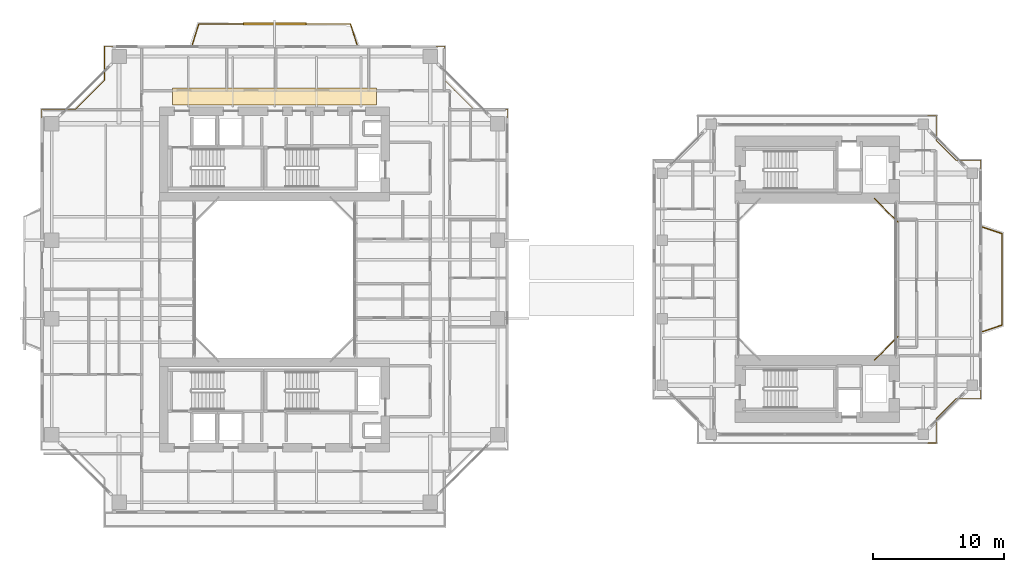
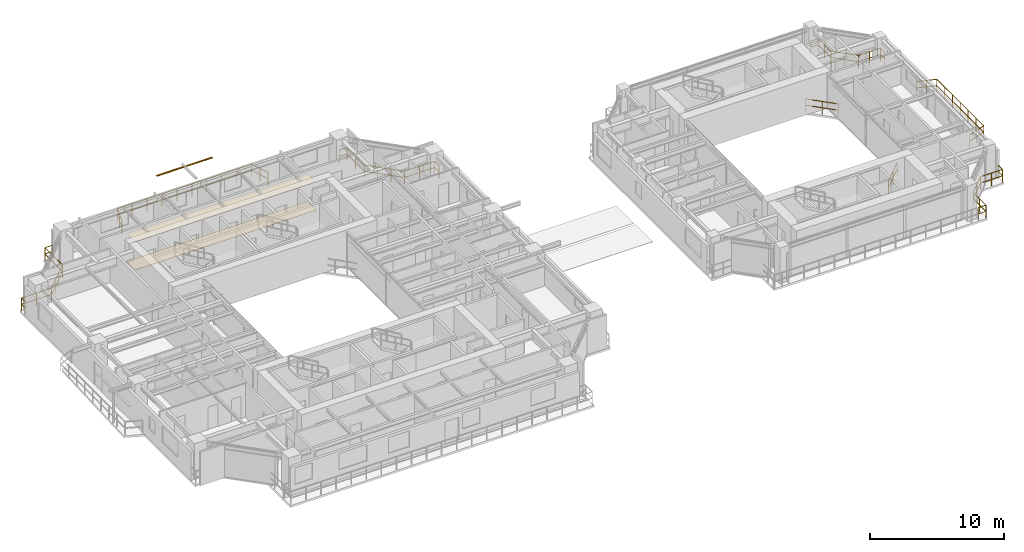
# One storey, part 23 of 23: 8 railings, 2 coverings, 1 shading device.
"""IFC4 building model written with IfcOpenShell, lengths in metres."""

from ifc_helpers import new_model, si_unit, direction, frame, origin, origin_2d, place, context, subcontext, project, spatial, polyline, rectangle, outline, extrude, source, transform, mapped, material, layer, layer_set, material_profile, profile_set, type_object, element, save


model = new_model("IFC4")

# Units and contexts
model_context = context("Model", 3, precision=1e-05, world=origin(), true_north=direction((0.0, 1.0)))
body_context = subcontext(model_context, "Body", "Model", "MODEL_VIEW")
ifc_project = project(units=[si_unit("LENGTHUNIT", "METRE"), si_unit("AREAUNIT", "SQUARE_METRE"), si_unit("VOLUMEUNIT", "CUBIC_METRE"), si_unit("PLANEANGLEUNIT", "RADIAN"), si_unit("MASSUNIT", "GRAM", prefix="KILO"), si_unit("THERMODYNAMICTEMPERATUREUNIT", "KELVIN"), si_unit("POWERUNIT", "WATT")], contexts=[model_context])

# Site, building, storey
site_placement = place(None, origin())
site = spatial("IfcSite", under=ifc_project, at=site_placement, CompositionType="ELEMENT")
building_placement = place(site_placement, origin())
building = spatial("IfcBuilding", under=site, at=building_placement, Name="Qiaomeng Ring Towers", CompositionType="ELEMENT")
storey_placement = place(building_placement, frame((0.0, 0.0, 97.0)))
storey = spatial("IfcBuildingStorey", under=building, at=storey_placement, Name="L27", CompositionType="ELEMENT", Elevation=97.0)

# Coverings
ifc_material_1 = material(Name="Moisture-resistant gypsum ceiling board", Category="gypsum")
ifc_layer_1 = layer(ifc_material_1, 0.030029296875, Name="Moisture-resistant gypsum ceiling board")
ifc_layer_set_1 = layer_set([ifc_layer_1], Name="Moisture-resistant gypsum ceiling board")
covering_type_1 = type_object("IfcCoveringType", Name="ARC-COV-CEIL2", PredefinedType="CEILING", material=ifc_layer_set_1)
covering_1_placement = place(storey_placement, frame((0.0, 0.0, 2.550048828125)))
element("IfcCovering", 1, at=covering_1_placement, inside=storey, type_object=covering_type_1, Name="L27 Corridor Acoustic Ceiling", PredefinedType="CEILING", context=body_context, shape_type="SweptSolid", body=[
    extrude(outline(polyline([(11.199951171875, 36.35009765625), (11.199951171875, 37.64990234375), (26.800048828125, 37.64990234375), (26.800048828125, 36.35009765625), (11.199951171875, 36.35009765625)])), origin(), (0.0, 0.0, 1.0), 0.02490234375),
])
ifc_material_2 = material(Name="Vitrified porcelain floor tile", Category="ceramic")
ifc_layer_2 = layer(ifc_material_2, 0.02001953125, Name="Vitrified porcelain floor tile")
ifc_layer_set_2 = layer_set([ifc_layer_2], Name="Vitrified porcelain floor tile")
covering_type_2 = type_object("IfcCoveringType", Name="ARC-COV-FLR1", PredefinedType="FLOORING", material=ifc_layer_set_2)
covering_2_placement = place(storey_placement, origin())
element("IfcCovering", 2, at=covering_2_placement, inside=storey, type_object=covering_type_2, Name="L27 Corridor Stone Flooring", PredefinedType="FLOORING", context=body_context, shape_type="SweptSolid", body=[
    extrude(outline(polyline([(11.199951171875, 36.35009765625), (11.199951171875, 37.64990234375), (26.800048828125, 37.64990234375), (26.800048828125, 36.35009765625), (11.199951171875, 36.35009765625)])), origin(), (0.0, 0.0, 1.0), 0.02001953125),
])

# Railings
ifc_material_3 = material(Name="Low-E pale-green laminated safety glass", Category="glass")
railing_type = type_object("IfcRailingType", Name="ARC-RL-BAL1", PredefinedType="BALUSTRADE", material=ifc_material_3)
railing_1_placement = place(storey_placement, frame((36.820068359375, 35.3701171875, 0.0)))
element("IfcRailing", 3, at=railing_1_placement, inside=storey, type_object=railing_type, Name="L27 Balustrade ARC-BAL-NOTCH1-L27-NE", PredefinedType="BALUSTRADE", context=body_context, shape_type="SweptSolid", body=[
    extrude(rectangle(XDim=0.048095703125, YDim=0.048095703125, at=origin_2d()), frame((0.0, 0.0, 1.17578125), z_axis=(0.0, 1.0, 0.0), x_axis=(-1.0, 0.0, 0.0)), (0.0, 0.0, 1.0), 0.64990234375),
    extrude(rectangle(XDim=0.048095703125, YDim=0.048095703125, at=origin_2d()), frame((0.0, 0.0, 0.60009765625), z_axis=(0.0, 1.0, 0.0), x_axis=(-1.0, 0.0, 0.0)), (0.0, 0.0, 1.0), 0.64990234375),
    extrude(rectangle(XDim=0.048095703125, YDim=0.048095703125, at=origin_2d()), frame((0.0, 0.64990234375, 1.17578125), z_axis=(-1.0, 0.0, 0.0), x_axis=(0.0, -1.0, 0.0)), (0.0, 0.0, 1.0), 2.60009765625),
    extrude(rectangle(XDim=0.048095703125, YDim=0.048095703125, at=origin_2d()), frame((0.0, 0.64990234375, 0.60009765625), z_axis=(-1.0, 0.0, 0.0), x_axis=(0.0, -1.0, 0.0)), (0.0, 0.0, 1.0), 2.60009765625),
    extrude(rectangle(XDim=0.048095703125, YDim=0.048095703125, at=origin_2d()), frame((-2.60009765625, 0.64990234375, 1.17578125), z_axis=(-0.707106781187, 0.707106781187, 0.0), x_axis=(-0.707106781187, -0.707106781187, 0.0)), (0.0, 0.0, 1.0), 3.111083984375),
    extrude(rectangle(XDim=0.048095703125, YDim=0.048095703125, at=origin_2d()), frame((-2.60009765625, 0.64990234375, 0.60009765625), z_axis=(-0.707106781187, 0.707106781187, 0.0), x_axis=(-0.707106781187, -0.707106781187, 0.0)), (0.0, 0.0, 1.0), 3.111083984375),
    extrude(rectangle(XDim=0.048095703125, YDim=0.048095703125, at=origin_2d()), frame((-4.800048828125, 2.849853515625, 1.17578125), z_axis=(0.0, 1.0, 0.0), x_axis=(-1.0, 0.0, 0.0)), (0.0, 0.0, 1.0), 2.60009765625),
    extrude(rectangle(XDim=0.048095703125, YDim=0.048095703125, at=origin_2d()), frame((-4.800048828125, 2.849853515625, 0.60009765625), z_axis=(0.0, 1.0, 0.0), x_axis=(-1.0, 0.0, 0.0)), (0.0, 0.0, 1.0), 2.60009765625),
    extrude(rectangle(XDim=0.048095703125, YDim=0.048095703125, at=origin_2d()), frame((-4.800048828125, 5.449951171875, 1.17578125), z_axis=(-1.0, 0.0, 0.0), x_axis=(0.0, -1.0, 0.0)), (0.0, 0.0, 1.0), 0.64990234375),
    extrude(rectangle(XDim=0.048095703125, YDim=0.048095703125, at=origin_2d()), frame((-4.800048828125, 5.449951171875, 0.60009765625), z_axis=(-1.0, 0.0, 0.0), x_axis=(0.0, -1.0, 0.0)), (0.0, 0.0, 1.0), 0.64990234375),
    extrude(rectangle(XDim=0.0419921875, YDim=0.0419921875, at=origin_2d()), origin(), (0.0, 0.0, 1.0), 1.15185546875),
    extrude(rectangle(XDim=0.0419921875, YDim=0.0419921875, at=origin_2d()), frame((0.0, 0.64990234375, 0.0)), (0.0, 0.0, 1.0), 1.15185546875),
    extrude(rectangle(XDim=0.0419921875, YDim=0.0419921875, at=origin_2d()), frame((-1.300048828125, 0.64990234375, 0.0)), (0.0, 0.0, 1.0), 1.15185546875),
    extrude(rectangle(XDim=0.0419921875, YDim=0.0419921875, at=origin_2d()), frame((-2.60009765625, 0.64990234375, 0.0)), (0.0, 0.0, 1.0), 1.15185546875),
    extrude(rectangle(XDim=0.0419921875, YDim=0.0419921875, at=origin_2d()), frame((-3.33349609375, 1.38330078125, 0.0)), (0.0, 0.0, 1.0), 1.15185546875),
    extrude(rectangle(XDim=0.0419921875, YDim=0.0419921875, at=origin_2d()), frame((-4.066650390625, 2.116455078125, 0.0)), (0.0, 0.0, 1.0), 1.15185546875),
    extrude(rectangle(XDim=0.0419921875, YDim=0.0419921875, at=origin_2d()), frame((-4.800048828125, 2.849853515625, 0.0)), (0.0, 0.0, 1.0), 1.15185546875),
    extrude(rectangle(XDim=0.0419921875, YDim=0.0419921875, at=origin_2d()), frame((-4.800048828125, 4.14990234375, 0.0)), (0.0, 0.0, 1.0), 1.15185546875),
    extrude(rectangle(XDim=0.0419921875, YDim=0.0419921875, at=origin_2d()), frame((-4.800048828125, 5.449951171875, 0.0)), (0.0, 0.0, 1.0), 1.15185546875),
    extrude(rectangle(XDim=0.0419921875, YDim=0.0419921875, at=origin_2d()), frame((-5.449951171875, 5.449951171875, 0.0)), (0.0, 0.0, 1.0), 1.15185546875),
])
railing_2_placement = place(storey_placement, frame((6.6298828125, 40.820068359375, 0.0)))
element("IfcRailing", 4, at=railing_2_placement, inside=storey, type_object=railing_type, Name="L27 Balustrade ARC-BAL-NOTCH1-L27-NW", PredefinedType="BALUSTRADE", context=body_context, shape_type="SweptSolid", body=[
    extrude(rectangle(XDim=0.048095703125, YDim=0.048095703125, at=origin_2d()), frame((0.0, 0.0, 1.17578125), z_axis=(-1.0, 0.0, 0.0), x_axis=(0.0, -1.0, 0.0)), (0.0, 0.0, 1.0), 0.64990234375),
    extrude(rectangle(XDim=0.048095703125, YDim=0.048095703125, at=origin_2d()), frame((0.0, 0.0, 0.60009765625), z_axis=(-1.0, 0.0, 0.0), x_axis=(0.0, -1.0, 0.0)), (0.0, 0.0, 1.0), 0.64990234375),
    extrude(rectangle(XDim=0.048095703125, YDim=0.048095703125, at=origin_2d()), frame((-0.64990234375, 0.0, 1.17578125), z_axis=(0.0, -1.0, 0.0), x_axis=(1.0, 0.0, 0.0)), (0.0, 0.0, 1.0), 2.60009765625),
    extrude(rectangle(XDim=0.048095703125, YDim=0.048095703125, at=origin_2d()), frame((-0.64990234375, 0.0, 0.60009765625), z_axis=(0.0, -1.0, 0.0), x_axis=(1.0, 0.0, 0.0)), (0.0, 0.0, 1.0), 2.60009765625),
    extrude(rectangle(XDim=0.048095703125, YDim=0.048095703125, at=origin_2d()), frame((-0.64990234375, -2.60009765625, 1.17578125), z_axis=(-0.707106781187, -0.707106781187, 0.0), x_axis=(0.707106781187, -0.707106781187, 0.0)), (0.0, 0.0, 1.0), 3.111083984375),
    extrude(rectangle(XDim=0.048095703125, YDim=0.048095703125, at=origin_2d()), frame((-0.64990234375, -2.60009765625, 0.60009765625), z_axis=(-0.707106781187, -0.707106781187, 0.0), x_axis=(0.707106781187, -0.707106781187, 0.0)), (0.0, 0.0, 1.0), 3.111083984375),
    extrude(rectangle(XDim=0.048095703125, YDim=0.048095703125, at=origin_2d()), frame((-2.849853515625, -4.800048828125, 1.17578125), z_axis=(-1.0, 0.0, 0.0), x_axis=(0.0, -1.0, 0.0)), (0.0, 0.0, 1.0), 2.60009765625),
    extrude(rectangle(XDim=0.048095703125, YDim=0.048095703125, at=origin_2d()), frame((-2.849853515625, -4.800048828125, 0.60009765625), z_axis=(-1.0, 0.0, 0.0), x_axis=(0.0, -1.0, 0.0)), (0.0, 0.0, 1.0), 2.60009765625),
    extrude(rectangle(XDim=0.048095703125, YDim=0.048095703125, at=origin_2d()), frame((-5.449951171875, -4.800048828125, 1.17578125), z_axis=(0.0, -1.0, 0.0), x_axis=(1.0, 0.0, 0.0)), (0.0, 0.0, 1.0), 0.64990234375),
    extrude(rectangle(XDim=0.048095703125, YDim=0.048095703125, at=origin_2d()), frame((-5.449951171875, -4.800048828125, 0.60009765625), z_axis=(0.0, -1.0, 0.0), x_axis=(1.0, 0.0, 0.0)), (0.0, 0.0, 1.0), 0.64990234375),
    extrude(rectangle(XDim=0.0419921875, YDim=0.0419921875, at=origin_2d()), origin(), (0.0, 0.0, 1.0), 1.15185546875),
    extrude(rectangle(XDim=0.0419921875, YDim=0.0419921875, at=origin_2d()), frame((-0.64990234375, 0.0, 0.0)), (0.0, 0.0, 1.0), 1.15185546875),
    extrude(rectangle(XDim=0.0419921875, YDim=0.0419921875, at=origin_2d()), frame((-0.64990234375, -1.300048828125, 0.0)), (0.0, 0.0, 1.0), 1.15185546875),
    extrude(rectangle(XDim=0.0419921875, YDim=0.0419921875, at=origin_2d()), frame((-0.64990234375, -2.60009765625, 0.0)), (0.0, 0.0, 1.0), 1.15185546875),
    extrude(rectangle(XDim=0.0419921875, YDim=0.0419921875, at=origin_2d()), frame((-1.38330078125, -3.33349609375, 0.0)), (0.0, 0.0, 1.0), 1.15185546875),
    extrude(rectangle(XDim=0.0419921875, YDim=0.0419921875, at=origin_2d()), frame((-2.116455078125, -4.066650390625, 0.0)), (0.0, 0.0, 1.0), 1.15185546875),
    extrude(rectangle(XDim=0.0419921875, YDim=0.0419921875, at=origin_2d()), frame((-2.849853515625, -4.800048828125, 0.0)), (0.0, 0.0, 1.0), 1.15185546875),
    extrude(rectangle(XDim=0.0419921875, YDim=0.0419921875, at=origin_2d()), frame((-4.14990234375, -4.800048828125, 0.0)), (0.0, 0.0, 1.0), 1.15185546875),
    extrude(rectangle(XDim=0.0419921875, YDim=0.0419921875, at=origin_2d()), frame((-5.449951171875, -4.800048828125, 0.0)), (0.0, 0.0, 1.0), 1.15185546875),
    extrude(rectangle(XDim=0.0419921875, YDim=0.0419921875, at=origin_2d()), frame((-5.449951171875, -5.449951171875, 0.0)), (0.0, 0.0, 1.0), 1.15185546875),
])
railing_3_placement = place(storey_placement, frame((12.699951171875, 40.949951171875, 0.0)))
element("IfcRailing", 5, at=railing_3_placement, inside=storey, type_object=railing_type, Name="L27 Balustrade ARC-BAL-L27-T1-N", PredefinedType="BALUSTRADE", context=body_context, shape_type="SweptSolid", body=[
    extrude(rectangle(XDim=0.048095703125, YDim=0.048095703125, at=origin_2d()), frame((0.0, 0.0, 1.17578125), z_axis=(0.299967512283, 0.953949417723, 0.0), x_axis=(-0.953949417723, 0.299967512283, 0.0)), (0.0, 0.0, 1.0), 1.666748046875),
    extrude(rectangle(XDim=0.048095703125, YDim=0.048095703125, at=origin_2d()), frame((0.0, 0.0, 0.60009765625), z_axis=(0.299967512283, 0.953949417723, 0.0), x_axis=(-0.953949417723, 0.299967512283, 0.0)), (0.0, 0.0, 1.0), 1.666748046875),
    extrude(rectangle(XDim=0.048095703125, YDim=0.048095703125, at=origin_2d()), frame((0.5, 1.590087890625, 1.17578125), z_axis=(1.0, 0.0, 0.0), x_axis=(0.0, 1.0, 0.0)), (0.0, 0.0, 1.0), 11.60009765625),
    extrude(rectangle(XDim=0.048095703125, YDim=0.048095703125, at=origin_2d()), frame((0.5, 1.590087890625, 0.60009765625), z_axis=(1.0, 0.0, 0.0), x_axis=(0.0, 1.0, 0.0)), (0.0, 0.0, 1.0), 11.60009765625),
    extrude(rectangle(XDim=0.048095703125, YDim=0.048095703125, at=origin_2d()), frame((12.10009765625, 1.590087890625, 1.17578125), z_axis=(0.299967512283, -0.953949417723, 0.0), x_axis=(0.953949417723, 0.299967512283, 0.0)), (0.0, 0.0, 1.0), 1.666748046875),
    extrude(rectangle(XDim=0.048095703125, YDim=0.048095703125, at=origin_2d()), frame((12.10009765625, 1.590087890625, 0.60009765625), z_axis=(0.299967512283, -0.953949417723, 0.0), x_axis=(0.953949417723, 0.299967512283, 0.0)), (0.0, 0.0, 1.0), 1.666748046875),
    extrude(rectangle(XDim=0.0419921875, YDim=0.0419921875, at=origin_2d()), origin(), (0.0, 0.0, 1.0), 1.15185546875),
    extrude(rectangle(XDim=0.0419921875, YDim=0.0419921875, at=origin_2d()), frame((0.25, 0.794921875, 0.0)), (0.0, 0.0, 1.0), 1.15185546875),
    extrude(rectangle(XDim=0.0419921875, YDim=0.0419921875, at=origin_2d()), frame((0.5, 1.590087890625, 0.0)), (0.0, 0.0, 1.0), 1.15185546875),
    extrude(rectangle(XDim=0.0419921875, YDim=0.0419921875, at=origin_2d()), frame((1.788818359375, 1.590087890625, 0.0)), (0.0, 0.0, 1.0), 1.15185546875),
    extrude(rectangle(XDim=0.0419921875, YDim=0.0419921875, at=origin_2d()), frame((3.077880859375, 1.590087890625, 0.0)), (0.0, 0.0, 1.0), 1.15185546875),
    extrude(rectangle(XDim=0.0419921875, YDim=0.0419921875, at=origin_2d()), frame((4.36669921875, 1.590087890625, 0.0)), (0.0, 0.0, 1.0), 1.15185546875),
    extrude(rectangle(XDim=0.0419921875, YDim=0.0419921875, at=origin_2d()), frame((5.655517578125, 1.590087890625, 0.0)), (0.0, 0.0, 1.0), 1.15185546875),
    extrude(rectangle(XDim=0.0419921875, YDim=0.0419921875, at=origin_2d()), frame((6.944580078125, 1.590087890625, 0.0)), (0.0, 0.0, 1.0), 1.15185546875),
    extrude(rectangle(XDim=0.0419921875, YDim=0.0419921875, at=origin_2d()), frame((8.2333984375, 1.590087890625, 0.0)), (0.0, 0.0, 1.0), 1.15185546875),
    extrude(rectangle(XDim=0.0419921875, YDim=0.0419921875, at=origin_2d()), frame((9.522216796875, 1.590087890625, 0.0)), (0.0, 0.0, 1.0), 1.15185546875),
    extrude(rectangle(XDim=0.0419921875, YDim=0.0419921875, at=origin_2d()), frame((10.811279296875, 1.590087890625, 0.0)), (0.0, 0.0, 1.0), 1.15185546875),
    extrude(rectangle(XDim=0.0419921875, YDim=0.0419921875, at=origin_2d()), frame((12.10009765625, 1.590087890625, 0.0)), (0.0, 0.0, 1.0), 1.15185546875),
    extrude(rectangle(XDim=0.0419921875, YDim=0.0419921875, at=origin_2d()), frame((12.35009765625, 0.794921875, 0.0)), (0.0, 0.0, 1.0), 1.15185546875),
    extrude(rectangle(XDim=0.0419921875, YDim=0.0419921875, at=origin_2d()), frame((12.60009765625, 0.0, 0.0)), (0.0, 0.0, 1.0), 1.15185546875),
])
railing_4_placement = place(storey_placement, frame((64.8798828125, 16.820068359375, 0.0)))
element("IfcRailing", 6, at=railing_4_placement, inside=storey, type_object=railing_type, Name="L27 Balustrade ARC-BAL-WELL2-L27-1", PredefinedType="BALUSTRADE", context=body_context, shape_type="SweptSolid", body=[
    extrude(rectangle(XDim=0.048095703125, YDim=0.048095703125, at=origin_2d()), frame((0.0, 0.0, 1.17578125), z_axis=(0.707106781187, 0.707106781187, 0.0), x_axis=(-0.707106781187, 0.707106781187, 0.0)), (0.0, 0.0, 1.0), 2.545654296875),
    extrude(rectangle(XDim=0.048095703125, YDim=0.048095703125, at=origin_2d()), frame((0.0, 0.0, 0.60009765625), z_axis=(0.707106781187, 0.707106781187, 0.0), x_axis=(-0.707106781187, 0.707106781187, 0.0)), (0.0, 0.0, 1.0), 2.545654296875),
    extrude(rectangle(XDim=0.0419921875, YDim=0.0419921875, at=origin_2d()), origin(), (0.0, 0.0, 1.0), 1.15185546875),
    extrude(rectangle(XDim=0.0419921875, YDim=0.0419921875, at=origin_2d()), frame((0.89990234375, 0.89990234375, 0.0)), (0.0, 0.0, 1.0), 1.15185546875),
    extrude(rectangle(XDim=0.0419921875, YDim=0.0419921875, at=origin_2d()), frame((1.800048828125, 1.800048828125, 0.0)), (0.0, 0.0, 1.0), 1.15185546875),
])
railing_5_placement = place(storey_placement, frame((66.679931640625, 27.3798828125, 0.0)))
element("IfcRailing", 7, at=railing_5_placement, inside=storey, type_object=railing_type, Name="L27 Balustrade ARC-BAL-WELL2-L27-2", PredefinedType="BALUSTRADE", context=body_context, shape_type="SweptSolid", body=[
    extrude(rectangle(XDim=0.048095703125, YDim=0.048095703125, at=origin_2d()), frame((0.0, 0.0, 1.17578125), z_axis=(-0.707106781187, 0.707106781187, 0.0), x_axis=(-0.707106781187, -0.707106781187, 0.0)), (0.0, 0.0, 1.0), 2.545654296875),
    extrude(rectangle(XDim=0.048095703125, YDim=0.048095703125, at=origin_2d()), frame((0.0, 0.0, 0.60009765625), z_axis=(-0.707106781187, 0.707106781187, 0.0), x_axis=(-0.707106781187, -0.707106781187, 0.0)), (0.0, 0.0, 1.0), 2.545654296875),
    extrude(rectangle(XDim=0.0419921875, YDim=0.0419921875, at=origin_2d()), origin(), (0.0, 0.0, 1.0), 1.15185546875),
    extrude(rectangle(XDim=0.0419921875, YDim=0.0419921875, at=origin_2d()), frame((-0.89990234375, 0.89990234375, 0.0)), (0.0, 0.0, 1.0), 1.15185546875),
    extrude(rectangle(XDim=0.0419921875, YDim=0.0419921875, at=origin_2d()), frame((-1.800048828125, 1.800048828125, 0.0)), (0.0, 0.0, 1.0), 1.15185546875),
])
railing_6_placement = place(storey_placement, frame((68.969970703125, 10.47998046875, 0.0)))
element("IfcRailing", 8, at=railing_6_placement, inside=storey, type_object=railing_type, Name="L27 Balustrade ARC-BAL-NOTCH2-L27-SE", PredefinedType="BALUSTRADE", context=body_context, shape_type="SweptSolid", body=[
    extrude(rectangle(XDim=0.048095703125, YDim=0.048095703125, at=origin_2d()), frame((0.0, 0.0, 1.17578125), z_axis=(1.0, 0.0, 0.0), x_axis=(0.0, 1.0, 0.0)), (0.0, 0.0, 1.0), 0.650146484375),
    extrude(rectangle(XDim=0.048095703125, YDim=0.048095703125, at=origin_2d()), frame((0.0, 0.0, 0.60009765625), z_axis=(1.0, 0.0, 0.0), x_axis=(0.0, 1.0, 0.0)), (0.0, 0.0, 1.0), 0.650146484375),
    extrude(rectangle(XDim=0.048095703125, YDim=0.048095703125, at=origin_2d()), frame((0.650146484375, 0.0, 1.17578125), z_axis=(0.0, 1.0, 0.0), x_axis=(-1.0, 0.0, 0.0)), (0.0, 0.0, 1.0), 1.89990234375),
    extrude(rectangle(XDim=0.048095703125, YDim=0.048095703125, at=origin_2d()), frame((0.650146484375, 0.0, 0.60009765625), z_axis=(0.0, 1.0, 0.0), x_axis=(-1.0, 0.0, 0.0)), (0.0, 0.0, 1.0), 1.89990234375),
    extrude(rectangle(XDim=0.048095703125, YDim=0.048095703125, at=origin_2d()), frame((0.650146484375, 1.89990234375, 1.17578125), z_axis=(0.707106781187, 0.707106781187, 0.0), x_axis=(-0.707106781187, 0.707106781187, 0.0)), (0.0, 0.0, 1.0), 2.121337890625),
    extrude(rectangle(XDim=0.048095703125, YDim=0.048095703125, at=origin_2d()), frame((0.650146484375, 1.89990234375, 0.60009765625), z_axis=(0.707106781187, 0.707106781187, 0.0), x_axis=(-0.707106781187, 0.707106781187, 0.0)), (0.0, 0.0, 1.0), 2.121337890625),
    extrude(rectangle(XDim=0.048095703125, YDim=0.048095703125, at=origin_2d()), frame((2.150146484375, 3.39990234375, 1.17578125), z_axis=(1.0, 0.0, 0.0), x_axis=(0.0, 1.0, 0.0)), (0.0, 0.0, 1.0), 1.89990234375),
    extrude(rectangle(XDim=0.048095703125, YDim=0.048095703125, at=origin_2d()), frame((2.150146484375, 3.39990234375, 0.60009765625), z_axis=(1.0, 0.0, 0.0), x_axis=(0.0, 1.0, 0.0)), (0.0, 0.0, 1.0), 1.89990234375),
    extrude(rectangle(XDim=0.048095703125, YDim=0.048095703125, at=origin_2d()), frame((4.050048828125, 3.39990234375, 1.17578125), z_axis=(0.0, 1.0, 0.0), x_axis=(-1.0, 0.0, 0.0)), (0.0, 0.0, 1.0), 0.650146484375),
    extrude(rectangle(XDim=0.048095703125, YDim=0.048095703125, at=origin_2d()), frame((4.050048828125, 3.39990234375, 0.60009765625), z_axis=(0.0, 1.0, 0.0), x_axis=(-1.0, 0.0, 0.0)), (0.0, 0.0, 1.0), 0.650146484375),
    extrude(rectangle(XDim=0.0419921875, YDim=0.0419921875, at=origin_2d()), origin(), (0.0, 0.0, 1.0), 1.15185546875),
    extrude(rectangle(XDim=0.0419921875, YDim=0.0419921875, at=origin_2d()), frame((0.650146484375, 0.0, 0.0)), (0.0, 0.0, 1.0), 1.15185546875),
    extrude(rectangle(XDim=0.0419921875, YDim=0.0419921875, at=origin_2d()), frame((0.650146484375, 0.949951171875, 0.0)), (0.0, 0.0, 1.0), 1.15185546875),
    extrude(rectangle(XDim=0.0419921875, YDim=0.0419921875, at=origin_2d()), frame((0.650146484375, 1.89990234375, 0.0)), (0.0, 0.0, 1.0), 1.15185546875),
    extrude(rectangle(XDim=0.0419921875, YDim=0.0419921875, at=origin_2d()), frame((1.400146484375, 2.64990234375, 0.0)), (0.0, 0.0, 1.0), 1.15185546875),
    extrude(rectangle(XDim=0.0419921875, YDim=0.0419921875, at=origin_2d()), frame((2.150146484375, 3.39990234375, 0.0)), (0.0, 0.0, 1.0), 1.15185546875),
    extrude(rectangle(XDim=0.0419921875, YDim=0.0419921875, at=origin_2d()), frame((3.10009765625, 3.39990234375, 0.0)), (0.0, 0.0, 1.0), 1.15185546875),
    extrude(rectangle(XDim=0.0419921875, YDim=0.0419921875, at=origin_2d()), frame((4.050048828125, 3.39990234375, 0.0)), (0.0, 0.0, 1.0), 1.15185546875),
    extrude(rectangle(XDim=0.0419921875, YDim=0.0419921875, at=origin_2d()), frame((4.050048828125, 4.050048828125, 0.0)), (0.0, 0.0, 1.0), 1.15185546875),
])
railing_7_placement = place(storey_placement, frame((73.02001953125, 31.469970703125, 0.0)))
element("IfcRailing", 9, at=railing_7_placement, inside=storey, type_object=railing_type, Name="L27 Balustrade ARC-BAL-NOTCH2-L27-NE", PredefinedType="BALUSTRADE", context=body_context, shape_type="SweptSolid", body=[
    extrude(rectangle(XDim=0.048095703125, YDim=0.048095703125, at=origin_2d()), frame((0.0, 0.0, 1.17578125), z_axis=(0.0, 1.0, 0.0), x_axis=(-1.0, 0.0, 0.0)), (0.0, 0.0, 1.0), 0.650146484375),
    extrude(rectangle(XDim=0.048095703125, YDim=0.048095703125, at=origin_2d()), frame((0.0, 0.0, 0.60009765625), z_axis=(0.0, 1.0, 0.0), x_axis=(-1.0, 0.0, 0.0)), (0.0, 0.0, 1.0), 0.650146484375),
    extrude(rectangle(XDim=0.048095703125, YDim=0.048095703125, at=origin_2d()), frame((0.0, 0.650146484375, 1.17578125), z_axis=(-1.0, 0.0, 0.0), x_axis=(0.0, -1.0, 0.0)), (0.0, 0.0, 1.0), 1.89990234375),
    extrude(rectangle(XDim=0.048095703125, YDim=0.048095703125, at=origin_2d()), frame((0.0, 0.650146484375, 0.60009765625), z_axis=(-1.0, 0.0, 0.0), x_axis=(0.0, -1.0, 0.0)), (0.0, 0.0, 1.0), 1.89990234375),
    extrude(rectangle(XDim=0.048095703125, YDim=0.048095703125, at=origin_2d()), frame((-1.89990234375, 0.650146484375, 1.17578125), z_axis=(-0.707106781187, 0.707106781187, 0.0), x_axis=(-0.707106781187, -0.707106781187, 0.0)), (0.0, 0.0, 1.0), 2.121337890625),
    extrude(rectangle(XDim=0.048095703125, YDim=0.048095703125, at=origin_2d()), frame((-1.89990234375, 0.650146484375, 0.60009765625), z_axis=(-0.707106781187, 0.707106781187, 0.0), x_axis=(-0.707106781187, -0.707106781187, 0.0)), (0.0, 0.0, 1.0), 2.121337890625),
    extrude(rectangle(XDim=0.048095703125, YDim=0.048095703125, at=origin_2d()), frame((-3.39990234375, 2.150146484375, 1.17578125), z_axis=(0.0, 1.0, 0.0), x_axis=(-1.0, 0.0, 0.0)), (0.0, 0.0, 1.0), 1.89990234375),
    extrude(rectangle(XDim=0.048095703125, YDim=0.048095703125, at=origin_2d()), frame((-3.39990234375, 2.150146484375, 0.60009765625), z_axis=(0.0, 1.0, 0.0), x_axis=(-1.0, 0.0, 0.0)), (0.0, 0.0, 1.0), 1.89990234375),
    extrude(rectangle(XDim=0.048095703125, YDim=0.048095703125, at=origin_2d()), frame((-3.39990234375, 4.050048828125, 1.17578125), z_axis=(-1.0, 0.0, 0.0), x_axis=(0.0, -1.0, 0.0)), (0.0, 0.0, 1.0), 0.650146484375),
    extrude(rectangle(XDim=0.048095703125, YDim=0.048095703125, at=origin_2d()), frame((-3.39990234375, 4.050048828125, 0.60009765625), z_axis=(-1.0, 0.0, 0.0), x_axis=(0.0, -1.0, 0.0)), (0.0, 0.0, 1.0), 0.650146484375),
    extrude(rectangle(XDim=0.0419921875, YDim=0.0419921875, at=origin_2d()), origin(), (0.0, 0.0, 1.0), 1.15185546875),
    extrude(rectangle(XDim=0.0419921875, YDim=0.0419921875, at=origin_2d()), frame((0.0, 0.650146484375, 0.0)), (0.0, 0.0, 1.0), 1.15185546875),
    extrude(rectangle(XDim=0.0419921875, YDim=0.0419921875, at=origin_2d()), frame((-0.949951171875, 0.650146484375, 0.0)), (0.0, 0.0, 1.0), 1.15185546875),
    extrude(rectangle(XDim=0.0419921875, YDim=0.0419921875, at=origin_2d()), frame((-1.89990234375, 0.650146484375, 0.0)), (0.0, 0.0, 1.0), 1.15185546875),
    extrude(rectangle(XDim=0.0419921875, YDim=0.0419921875, at=origin_2d()), frame((-2.64990234375, 1.400146484375, 0.0)), (0.0, 0.0, 1.0), 1.15185546875),
    extrude(rectangle(XDim=0.0419921875, YDim=0.0419921875, at=origin_2d()), frame((-3.39990234375, 2.150146484375, 0.0)), (0.0, 0.0, 1.0), 1.15185546875),
    extrude(rectangle(XDim=0.0419921875, YDim=0.0419921875, at=origin_2d()), frame((-3.39990234375, 3.10009765625, 0.0)), (0.0, 0.0, 1.0), 1.15185546875),
    extrude(rectangle(XDim=0.0419921875, YDim=0.0419921875, at=origin_2d()), frame((-3.39990234375, 4.050048828125, 0.0)), (0.0, 0.0, 1.0), 1.15185546875),
    extrude(rectangle(XDim=0.0419921875, YDim=0.0419921875, at=origin_2d()), frame((-4.050048828125, 4.050048828125, 0.0)), (0.0, 0.0, 1.0), 1.15185546875),
])
railing_8_placement = place(storey_placement, frame((73.14990234375, 19.0, 0.0)))
element("IfcRailing", 10, at=railing_8_placement, inside=storey, type_object=railing_type, Name="L27 Balustrade ARC-BAL-L27-T2-E", PredefinedType="BALUSTRADE", context=body_context, shape_type="SweptSolid", body=[
    extrude(rectangle(XDim=0.048095703125, YDim=0.048095703125, at=origin_2d()), frame((0.0, 0.0, 1.17578125), z_axis=(0.948044476945, 0.318137815629, 0.0), x_axis=(-0.318137815629, 0.948044476945, 0.0)), (0.0, 0.0, 1.0), 1.571533203125),
    extrude(rectangle(XDim=0.048095703125, YDim=0.048095703125, at=origin_2d()), frame((0.0, 0.0, 0.60009765625), z_axis=(0.948044476945, 0.318137815629, 0.0), x_axis=(-0.318137815629, 0.948044476945, 0.0)), (0.0, 0.0, 1.0), 1.571533203125),
    extrude(rectangle(XDim=0.048095703125, YDim=0.048095703125, at=origin_2d()), frame((1.489990234375, 0.5, 1.17578125), z_axis=(0.0, 1.0, 0.0), x_axis=(-1.0, 0.0, 0.0)), (0.0, 0.0, 1.0), 7.0),
    extrude(rectangle(XDim=0.048095703125, YDim=0.048095703125, at=origin_2d()), frame((1.489990234375, 0.5, 0.60009765625), z_axis=(0.0, 1.0, 0.0), x_axis=(-1.0, 0.0, 0.0)), (0.0, 0.0, 1.0), 7.0),
    extrude(rectangle(XDim=0.048095703125, YDim=0.048095703125, at=origin_2d()), frame((1.489990234375, 7.5, 1.17578125), z_axis=(-0.948044476945, 0.318137815629, 0.0), x_axis=(-0.318137815629, -0.948044476945, 0.0)), (0.0, 0.0, 1.0), 1.571533203125),
    extrude(rectangle(XDim=0.048095703125, YDim=0.048095703125, at=origin_2d()), frame((1.489990234375, 7.5, 0.60009765625), z_axis=(-0.948044476945, 0.318137815629, 0.0), x_axis=(-0.318137815629, -0.948044476945, 0.0)), (0.0, 0.0, 1.0), 1.571533203125),
    extrude(rectangle(XDim=0.0419921875, YDim=0.0419921875, at=origin_2d()), origin(), (0.0, 0.0, 1.0), 1.15185546875),
    extrude(rectangle(XDim=0.0419921875, YDim=0.0419921875, at=origin_2d()), frame((0.7451171875, 0.25, 0.0)), (0.0, 0.0, 1.0), 1.15185546875),
    extrude(rectangle(XDim=0.0419921875, YDim=0.0419921875, at=origin_2d()), frame((1.489990234375, 0.5, 0.0)), (0.0, 0.0, 1.0), 1.15185546875),
    extrude(rectangle(XDim=0.0419921875, YDim=0.0419921875, at=origin_2d()), frame((1.489990234375, 1.666748046875, 0.0)), (0.0, 0.0, 1.0), 1.15185546875),
    extrude(rectangle(XDim=0.0419921875, YDim=0.0419921875, at=origin_2d()), frame((1.489990234375, 2.833251953125, 0.0)), (0.0, 0.0, 1.0), 1.15185546875),
    extrude(rectangle(XDim=0.0419921875, YDim=0.0419921875, at=origin_2d()), frame((1.489990234375, 4.0, 0.0)), (0.0, 0.0, 1.0), 1.15185546875),
    extrude(rectangle(XDim=0.0419921875, YDim=0.0419921875, at=origin_2d()), frame((1.489990234375, 5.166748046875, 0.0)), (0.0, 0.0, 1.0), 1.15185546875),
    extrude(rectangle(XDim=0.0419921875, YDim=0.0419921875, at=origin_2d()), frame((1.489990234375, 6.333251953125, 0.0)), (0.0, 0.0, 1.0), 1.15185546875),
    extrude(rectangle(XDim=0.0419921875, YDim=0.0419921875, at=origin_2d()), frame((1.489990234375, 7.5, 0.0)), (0.0, 0.0, 1.0), 1.15185546875),
    extrude(rectangle(XDim=0.0419921875, YDim=0.0419921875, at=origin_2d()), frame((0.7451171875, 7.75, 0.0)), (0.0, 0.0, 1.0), 1.15185546875),
    extrude(rectangle(XDim=0.0419921875, YDim=0.0419921875, at=origin_2d()), frame((0.0, 8.0, 0.0)), (0.0, 0.0, 1.0), 1.15185546875),
])

# Shading device
ifc_material_4 = material(Name="Fluorocarbon dark-grey aluminium", Category="aluminium")
ifc_material_profile = material_profile(ifc_material_4, rectangle(XDim=0.14990234375, YDim=0.034912109375, at=origin_2d()), Name="LV BLADE 150x35")
ifc_profile_set = profile_set([ifc_material_profile], Name="Fluorocarbon dark-grey aluminium")
shading_device_type = type_object("IfcShadingDeviceType", Name="ARC-SHD-SUN", PredefinedType="AWNING", material=ifc_profile_set)
shared_shape = source(origin(), body_context, "Body", "SweptSolid", [
    extrude(rectangle(XDim=0.14990234375, YDim=0.034912109375, at=origin_2d()), origin(), (0.0, 0.0, 1.0), 4.7998046875),
])
shading_device_placement = place(storey_placement, frame((16.60009765625, 42.5400390625, 2.969970703125), z_axis=(1.0, 0.0, 0.0), x_axis=(0.0, 1.0, 0.0)))
element("IfcShadingDevice", 11, at=shading_device_placement, inside=storey, type_object=shading_device_type, Name="L27 Ventilated Outer-Skin Sunshade N", PredefinedType="AWNING", context=body_context, shape_type="MappedRepresentation", body=[
    mapped(shared_shape, transform((0.0, 0.0, 0.0), x_axis=(1.0, 0.0, 0.0), y_axis=(0.0, 1.0, 0.0), z_axis=(0.0, 0.0, 1.0), scale=1.0)),
])

save(model, "model.ifc")
